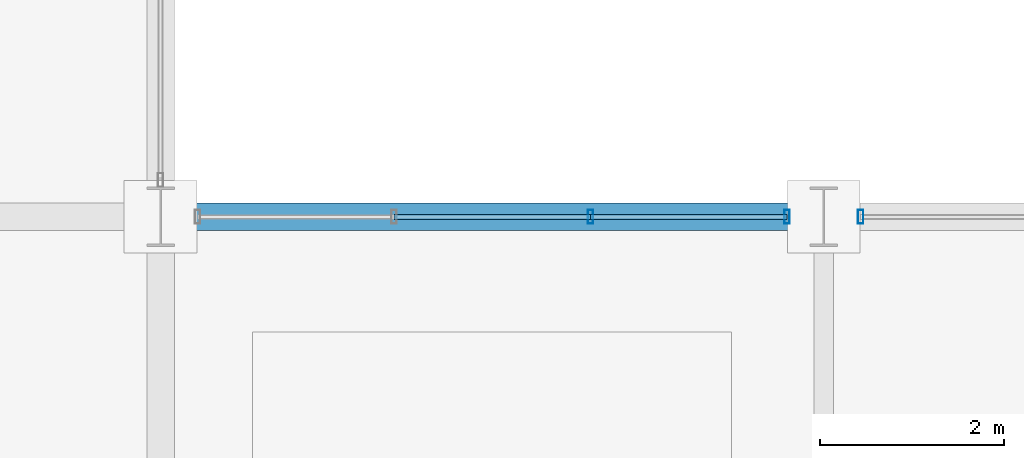
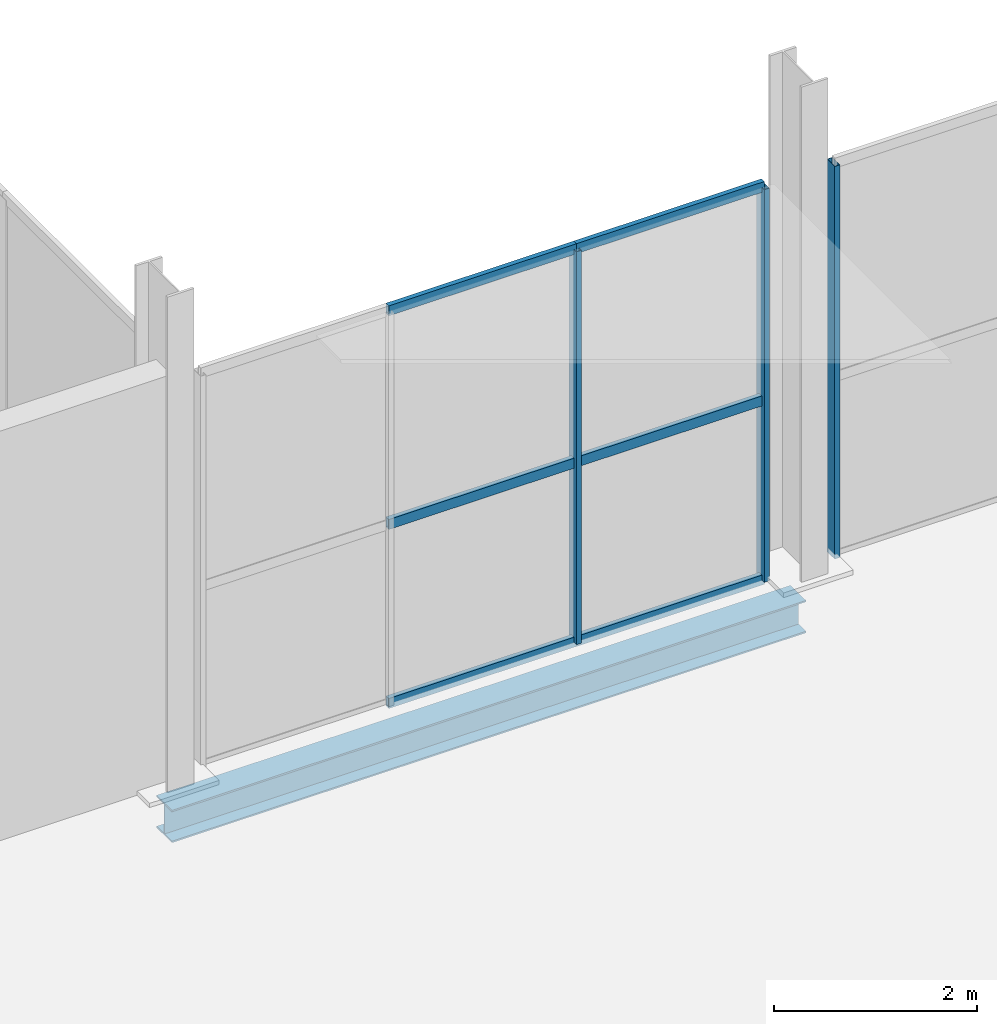
# One storey, part 47 of 144: 9 members, 1 beam, 2 elements without a shape of their own.
"""IFC4 building model written with IfcOpenShell, lengths in metres."""

from ifc_helpers import new_model, si_unit, direction, frame, origin, origin_2d, place, context, subcontext, project, spatial, hollow_rectangle, i_section, extrude, material, layer, layer_set, material_profile, profile_set, type_object, element, aggregate, save


model = new_model("IFC4")

# Units and contexts
model_context = context("Model", 3, precision=1e-05, world=origin(), true_north=direction((0.0, 1.0)))
body_context = subcontext(model_context, "Body", "Model", "MODEL_VIEW")
ifc_project = project(units=[si_unit("LENGTHUNIT", "METRE"), si_unit("AREAUNIT", "SQUARE_METRE"), si_unit("VOLUMEUNIT", "CUBIC_METRE"), si_unit("PLANEANGLEUNIT", "RADIAN"), si_unit("MASSUNIT", "GRAM", prefix="KILO")], contexts=[model_context])

# Site, building, storey
site_placement = place(None, origin())
site = spatial("IfcSite", under=ifc_project, at=site_placement, CompositionType="ELEMENT")
building_placement = place(site_placement, origin())
building = spatial("IfcBuilding", under=site, at=building_placement, Name="Sundgate Opera House", CompositionType="ELEMENT")
storey_placement = place(building_placement, origin())
storey = spatial("IfcBuildingStorey", under=building, at=storey_placement, Name="L00", CompositionType="ELEMENT", Elevation=0.0)

# Beam
ifc_material_1 = material(Name="Steel S355J2", Category="steel")
ifc_material_profile_1 = material_profile(ifc_material_1, i_section(OverallWidth=0.300048828125, OverallDepth=0.389892578125, WebThickness=0.010986328125, FlangeThickness=0.01904296875, at=origin_2d()), Name="HEA 400")
ifc_profile_set_1 = profile_set([ifc_material_profile_1], Name="Steel S355J2")
beam_type = type_object("IfcBeamType", Name="BM-GR-HEA400", PredefinedType="BEAM", material=ifc_profile_set_1)
beam_placement = place(storey_placement, frame((117.0, 42.0, -0.514892578125), z_axis=(1.0, 0.0, 0.0), x_axis=(0.0, 1.0, 0.0)))
element("IfcBeam", 1, at=beam_placement, inside=storey, type_object=beam_type, Name="L00 Primary E-W Girder B0421", PredefinedType="BEAM", context=body_context, shape_type="SweptSolid", body=[
    extrude(i_section(OverallWidth=0.300048828125, OverallDepth=0.389892578125, WebThickness=0.010986328125, FlangeThickness=0.01904296875, at=origin_2d()), origin(), (0.0, 0.0, 1.0), 7.199951171875),
])

# Curtain wall, members
ifc_material_2 = material(Name="Anodized aluminium and low-iron glass", Category="aluminium")
ifc_layer = layer(ifc_material_2, 0.159912109375)
ifc_layer_set = layer_set([ifc_layer], Name="Anodized aluminium and low-iron glass")
curtain_wall_type = type_object("IfcCurtainWallType", Name="CW-STUDIO-DARK", PredefinedType="NOTDEFINED", material=ifc_layer_set)
curtain_wall_1_placement = place(storey_placement, origin())
curtain_wall_1 = element("IfcCurtainWall", 2, at=curtain_wall_1_placement, inside=storey, type_object=curtain_wall_type, Name="L00 Curtain Wall CW034", PredefinedType="NOTDEFINED")
ifc_material_3 = material(Name="Anodized aluminium EN AW-6063", Category="aluminium")
ifc_material_profile_2 = material_profile(ifc_material_3, hollow_rectangle(XDim=0.06005859375, YDim=0.14990234375, WallThickness=0.00390625, at=origin_2d()), Name="CWM 150x60x4")
ifc_profile_set_2 = profile_set([ifc_material_profile_2], Name="Anodized aluminium EN AW-6063")
member_type_1 = type_object("IfcMemberType", Name="CWM-ALU-150x60", PredefinedType="MULLION", material=ifc_profile_set_2)
member_1_placement = place(storey_placement, frame((121.666748046875, 42.0, 0.0), z_axis=(0.0, 0.0, 1.0), x_axis=(1.0, 0.0, 0.0)))
member_1 = element("IfcMember", 3, at=member_1_placement, type_object=member_type_1, Name="CW034 Mullion 3", PredefinedType="MULLION", context=body_context, shape_type="SweptSolid", body=[
    extrude(hollow_rectangle(XDim=0.06005859375, YDim=0.14990234375, WallThickness=0.00390625, at=origin_2d()), origin(), (0.0, 0.0, 1.0), 4.715087890625),
])
member_2_placement = place(storey_placement, frame((123.800048828125, 42.0, 0.0), z_axis=(0.0, 0.0, 1.0), x_axis=(1.0, 0.0, 0.0)))
member_2 = element("IfcMember", 4, at=member_2_placement, type_object=member_type_1, Name="CW034 Mullion 4", PredefinedType="MULLION", context=body_context, shape_type="SweptSolid", body=[
    extrude(hollow_rectangle(XDim=0.06005859375, YDim=0.14990234375, WallThickness=0.00390625, at=origin_2d()), origin(), (0.0, 0.0, 1.0), 4.715087890625),
])

# Curtain wall, member
curtain_wall_2_placement = place(storey_placement, origin())
curtain_wall_2 = element("IfcCurtainWall", 5, at=curtain_wall_2_placement, inside=storey, type_object=curtain_wall_type, Name="L00 Curtain Wall CW036", PredefinedType="NOTDEFINED")
member_3_placement = place(storey_placement, frame((124.60009765625, 42.0, 0.0), z_axis=(0.0, 0.0, 1.0), x_axis=(1.0, 0.0, 0.0)))
member_3 = element("IfcMember", 6, at=member_3_placement, type_object=member_type_1, Name="CW036 Mullion 1", PredefinedType="MULLION", context=body_context, shape_type="SweptSolid", body=[
    extrude(hollow_rectangle(XDim=0.06005859375, YDim=0.14990234375, WallThickness=0.00390625, at=origin_2d()), origin(), (0.0, 0.0, 1.0), 4.715087890625),
])
aggregate(curtain_wall_2, [member_3])

# Member
ifc_material_4 = material(Name="Anodized aluminium EN AW-6063", Category="aluminium")
ifc_material_profile_3 = material_profile(ifc_material_4, hollow_rectangle(XDim=0.054931640625, YDim=0.1201171875, WallThickness=0.00390625, at=origin_2d()), Name="CWT 120x55x4")
ifc_profile_set_3 = profile_set([ifc_material_profile_3], Name="Anodized aluminium EN AW-6063")
member_type_2 = type_object("IfcMemberType", Name="CWT-ALU-120x55", PredefinedType="USERDEFINED", material=ifc_profile_set_3)
member_4_placement = place(storey_placement, frame((119.533447265625, 42.0, 0.0), z_axis=(1.0, 0.0, 0.0), x_axis=(0.0, 1.0, 0.0)))
member_4 = element("IfcMember", 7, at=member_4_placement, type_object=member_type_2, Name="CW034 Transom 4", ObjectType="TRANSOM", PredefinedType="USERDEFINED", context=body_context, shape_type="SweptSolid", body=[
    extrude(hollow_rectangle(XDim=0.054931640625, YDim=0.1201171875, WallThickness=0.00390625, at=origin_2d()), origin(), (0.0, 0.0, 1.0), 2.13330078125),
])

member_5_placement = place(storey_placement, frame((119.533447265625, 42.0, 2.14990234375), z_axis=(1.0, 0.0, 0.0), x_axis=(0.0, 1.0, 0.0)))
member_5 = element("IfcMember", 8, at=member_5_placement, type_object=member_type_2, Name="CW034 Transom 5", ObjectType="TRANSOM", PredefinedType="USERDEFINED", context=body_context, shape_type="SweptSolid", body=[
    extrude(hollow_rectangle(XDim=0.054931640625, YDim=0.1201171875, WallThickness=0.00390625, at=origin_2d()), origin(), (0.0, 0.0, 1.0), 2.13330078125),
])

member_6_placement = place(storey_placement, frame((119.533447265625, 42.0, 4.715087890625), z_axis=(1.0, 0.0, 0.0), x_axis=(0.0, 1.0, 0.0)))
member_6 = element("IfcMember", 9, at=member_6_placement, type_object=member_type_2, Name="CW034 Transom 6", ObjectType="TRANSOM", PredefinedType="USERDEFINED", context=body_context, shape_type="SweptSolid", body=[
    extrude(hollow_rectangle(XDim=0.054931640625, YDim=0.1201171875, WallThickness=0.00390625, at=origin_2d()), origin(), (0.0, 0.0, 1.0), 2.13330078125),
])

member_7_placement = place(storey_placement, frame((121.666748046875, 42.0, 0.0), z_axis=(1.0, 0.0, 0.0), x_axis=(0.0, 1.0, 0.0)))
member_7 = element("IfcMember", 10, at=member_7_placement, type_object=member_type_2, Name="CW034 Transom 7", ObjectType="TRANSOM", PredefinedType="USERDEFINED", context=body_context, shape_type="SweptSolid", body=[
    extrude(hollow_rectangle(XDim=0.054931640625, YDim=0.1201171875, WallThickness=0.00390625, at=origin_2d()), origin(), (0.0, 0.0, 1.0), 2.13330078125),
])

member_8_placement = place(storey_placement, frame((121.666748046875, 42.0, 2.14990234375), z_axis=(1.0, 0.0, 0.0), x_axis=(0.0, 1.0, 0.0)))
member_8 = element("IfcMember", 11, at=member_8_placement, type_object=member_type_2, Name="CW034 Transom 8", ObjectType="TRANSOM", PredefinedType="USERDEFINED", context=body_context, shape_type="SweptSolid", body=[
    extrude(hollow_rectangle(XDim=0.054931640625, YDim=0.1201171875, WallThickness=0.00390625, at=origin_2d()), origin(), (0.0, 0.0, 1.0), 2.13330078125),
])

member_9_placement = place(storey_placement, frame((121.666748046875, 42.0, 4.715087890625), z_axis=(1.0, 0.0, 0.0), x_axis=(0.0, 1.0, 0.0)))
member_9 = element("IfcMember", 12, at=member_9_placement, type_object=member_type_2, Name="CW034 Transom 9", ObjectType="TRANSOM", PredefinedType="USERDEFINED", context=body_context, shape_type="SweptSolid", body=[
    extrude(hollow_rectangle(XDim=0.054931640625, YDim=0.1201171875, WallThickness=0.00390625, at=origin_2d()), origin(), (0.0, 0.0, 1.0), 2.13330078125),
])

aggregate(curtain_wall_1, [member_1, member_2, member_4, member_5, member_6, member_7, member_8, member_9])

save(model, "model.ifc")
